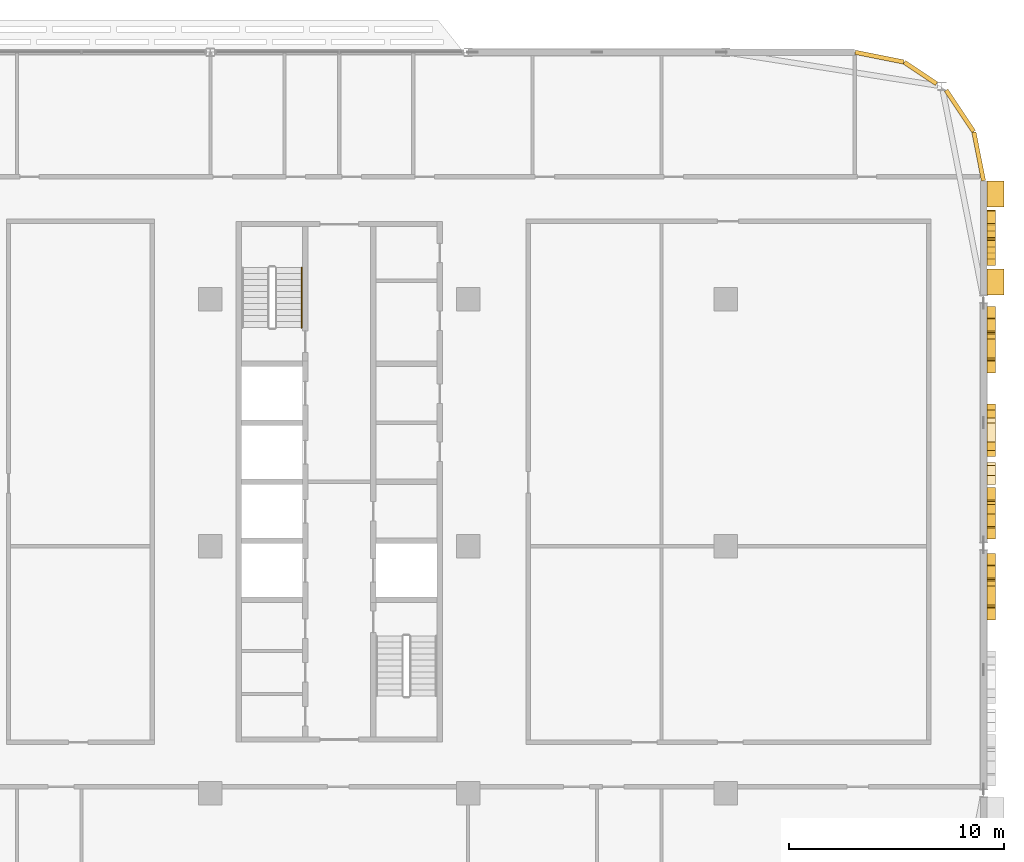
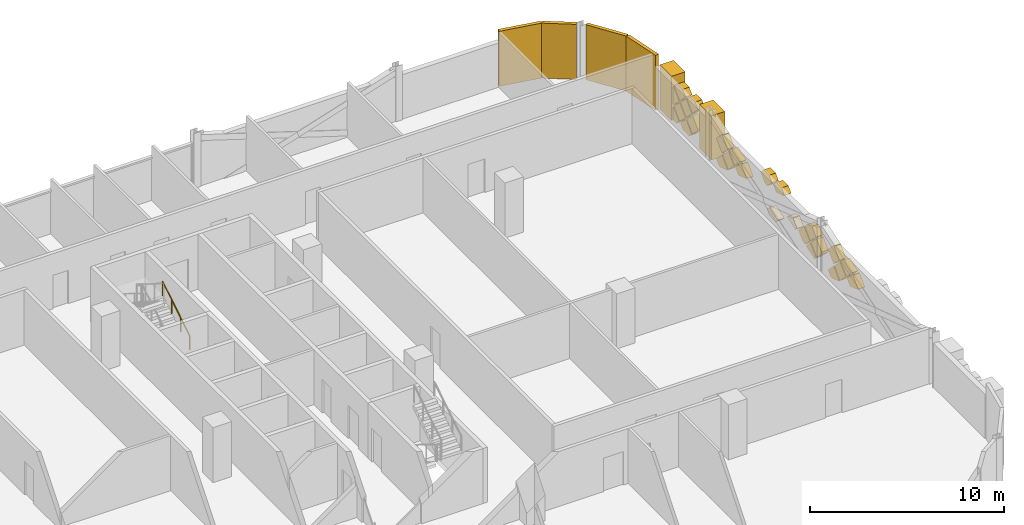
# One storey, part 30 of 30: 32 coverings, 1 railing.
"""IFC4 building model written with IfcOpenShell, lengths in metres."""

import ifcopenshell
import ifcopenshell.guid

model = None  # the IFC model being written
_history = None  # IfcOwnerHistory: only IFC2X3 demands one
_inside = {}  # id of a spatial element -> (the spatial element, [elements in it])
_under = {}  # id of a project, library or spatial element -> (it, [spatial elements below it])
_declared = {}  # id of a project -> (the project, [libraries it declares])
_typed = {}  # id of a type object -> (the type object, [elements of that type])
_made_of = {}  # id of a material, layer set ... -> (it, [elements and type objects made of it])


def new_model(schema):
    """Start an empty IFC model of exactly this schema.

    Asked for "IFC4X3", IfcOpenShell would pick the latest addendum, in which some entities
    have other attributes; the version numbers below select the first issue.
    IFC2X3 requires an IfcOwnerHistory on every rooted entity: one is made here for all.
    """
    global model, _history
    if schema == "IFC4X3":
        model = ifcopenshell.file(schema_version=(4, 3, 0, 0))
    else:
        model = ifcopenshell.file(schema=schema)
    _inside.clear()
    _under.clear()
    _declared.clear()
    _typed.clear()
    _made_of.clear()
    _history = None
    if model.schema == "IFC2X3":
        org = make("IfcOrganization", Name="unknown")
        user = make(
            "IfcPersonAndOrganization",
            ThePerson=make("IfcPerson", FamilyName="unknown"),
            TheOrganization=org,
        )
        app = make(
            "IfcApplication",
            ApplicationDeveloper=org,
            Version="unknown",
            ApplicationFullName="unknown",
            ApplicationIdentifier="unknown",
        )
        _history = make(
            "IfcOwnerHistory",
            OwningUser=user,
            OwningApplication=app,
            ChangeAction="ADDED",
            CreationDate=0,
        )
    return model


def make(cls, **values):
    """One entity of the class cls with the attributes given. An attribute that is None is left unset."""
    return model.create_entity(
        cls, **{name: value for name, value in values.items() if value is not None}
    )


def rooted(cls, **values):
    """An entity with a GlobalId (a new one), such as an element, a storey or a relation."""
    return make(cls, GlobalId=ifcopenshell.guid.new(), OwnerHistory=_history, **values)


def si_unit(unit_type, name, prefix=None):
    """IfcSIUnit, for example si_unit("LENGTHUNIT", "METRE", prefix="MILLI")."""
    return make("IfcSIUnit", UnitType=unit_type, Prefix=prefix, Name=name)


def assignment(units):
    """IfcUnitAssignment: the units of a project."""
    return None if units is None else make("IfcUnitAssignment", Units=units)


def point(xyz):
    """IfcCartesianPoint."""
    return None if xyz is None else make("IfcCartesianPoint", Coordinates=xyz)


def direction(xyz):
    """IfcDirection."""
    return None if xyz is None else make("IfcDirection", DirectionRatios=xyz)


def frame(location, z_axis=None, x_axis=None):
    """IfcAxis2Placement3D, a coordinate frame: its origin and axes. An axis left out is left unset."""
    return make(
        "IfcAxis2Placement3D",
        Location=point(location),
        Axis=direction(z_axis),
        RefDirection=direction(x_axis),
    )


def frame_2d(location, x_axis=None):
    """IfcAxis2Placement2D, a coordinate frame in the plane: its origin and x axis."""
    return make(
        "IfcAxis2Placement2D", Location=point(location), RefDirection=direction(x_axis)
    )


def origin():
    """The frame at (0, 0, 0) with its axes left unset."""
    return frame((0.0, 0.0, 0.0))


def origin_2d():
    """The frame at (0, 0) in the plane with its x axis left unset."""
    return frame_2d((0.0, 0.0))


def place(relative_to, where):
    """IfcLocalPlacement: puts the frame where relative to a parent placement (None: the world)."""
    return make(
        "IfcLocalPlacement", PlacementRelTo=relative_to, RelativePlacement=where
    )


def context(
    kind, dimensions, precision=None, world=None, true_north=None, identifier=None
):
    """IfcGeometricRepresentationContext, for example the 3D "Model" context."""
    return make(
        "IfcGeometricRepresentationContext",
        ContextIdentifier=identifier,
        ContextType=kind,
        CoordinateSpaceDimension=dimensions,
        Precision=precision,
        WorldCoordinateSystem=world,
        TrueNorth=true_north,
    )


def subcontext(parent, identifier, kind, view, scale=None):
    """IfcGeometricRepresentationSubContext, for example "Body" below "Model"."""
    return make(
        "IfcGeometricRepresentationSubContext",
        ContextIdentifier=identifier,
        ContextType=kind,
        ParentContext=parent,
        TargetScale=scale,
        TargetView=view,
    )


def project(units=None, contexts=None):
    """IfcProject with its units and contexts."""
    return rooted(
        "IfcProject",
        Name="project",
        RepresentationContexts=contexts,
        UnitsInContext=assignment(units),
    )


def spatial(cls, under=None, at=None, **own):
    """A site, building, storey or space (cls), placed at a placement, below another one or the project."""
    s = rooted(cls, ObjectPlacement=at, **own)
    if under is not None:
        _under.setdefault(under.id(), (under, []))[1].append(s)
    return s


def polyline(points):
    """IfcPolyline through the points."""
    return make("IfcPolyline", Points=[point(p) for p in points])


def profile(cls, at=None, kind="AREA", **sizes):
    """A parametric profile (cls). Its sizes go by their IFC names, for example OverallWidth=200.0."""
    return make(cls, ProfileType=kind, Position=at, **sizes)


def rectangle(**sizes):
    """IfcRectangleProfileDef."""
    return profile("IfcRectangleProfileDef", **sizes)


def circle(**sizes):
    """IfcCircleProfileDef."""
    return profile("IfcCircleProfileDef", **sizes)


def outline(outer, holes=None, kind="AREA"):
    """IfcArbitraryClosedProfileDef: a profile drawn as a closed curve; with holes, ...WithVoids."""
    if holes is None:
        return make("IfcArbitraryClosedProfileDef", ProfileType=kind, OuterCurve=outer)
    return make(
        "IfcArbitraryProfileDefWithVoids",
        ProfileType=kind,
        OuterCurve=outer,
        InnerCurves=holes,
    )


def extrude(swept, where, along, depth):
    """IfcExtrudedAreaSolid: the profile swept, set in the frame where, extruded along a direction by depth."""
    return make(
        "IfcExtrudedAreaSolid",
        SweptArea=swept,
        Position=where,
        ExtrudedDirection=direction(along),
        Depth=depth,
    )


def shape(context_of_items, identifier, shape_type, items):
    """IfcShapeRepresentation: the items that make up one representation, for example the "Body"."""
    return make(
        "IfcShapeRepresentation",
        ContextOfItems=context_of_items,
        RepresentationIdentifier=identifier,
        RepresentationType=shape_type,
        Items=items,
    )


def material(Name=None, Category=None):
    """IfcMaterial."""
    return make("IfcMaterial", Name=Name, Category=Category)


def layer(
    of_material, thickness, ventilated=None, Name=None, Category=None, Priority=None
):
    """IfcMaterialLayer: one layer of a wall or slab, of a material (None: an air gap)."""
    return make(
        "IfcMaterialLayer",
        Material=of_material,
        LayerThickness=thickness,
        IsVentilated=ventilated,
        Name=Name,
        Category=Category,
        Priority=Priority,
    )


def layer_set(layers, Name=None):
    """IfcMaterialLayerSet."""
    return make("IfcMaterialLayerSet", MaterialLayers=layers, LayerSetName=Name)


def made_of(thing, what):
    """Note that an element or type object is made of a material, layer set ...; save() writes the relation."""
    if what is not None:
        _made_of.setdefault(what.id(), (what, []))[1].append(thing)
    return thing


def type_object(cls, material=None, **own):
    """A type object (cls), such as IfcWallType, which elements share."""
    return made_of(rooted(cls, **own), material)


def element(
    cls,
    number,
    at=None,
    inside=None,
    cuts=None,
    type_object=None,
    material=None,
    context=None,
    identifier="Body",
    shape_type=None,
    held_by="IfcProductDefinitionShape",
    body=None,
    shapes=None,
    **own,
):
    """One element of the class cls, such as IfcWall. Its Tag is "e" and its number.

    at: its placement. inside: the storey or other place that contains it. cuts: it is an
    opening in that element (IfcRelVoidsElement). A single representation is given by context,
    identifier, shape_type and body (its items); several are given by shapes. held_by: the class
    of the entity that holds the representations. save() writes the other relations.
    """
    e = rooted(cls, Tag="e%d" % number, ObjectPlacement=at, **own)
    if body is not None:
        shapes = [shape(context, identifier, shape_type, body)]
    if shapes is not None:
        e.Representation = make(held_by, Representations=shapes)
    if inside is not None:
        _inside.setdefault(inside.id(), (inside, []))[1].append(e)
    if cuts is not None:
        rooted(
            "IfcRelVoidsElement", RelatingBuildingElement=cuts, RelatedOpeningElement=e
        )
    if type_object is not None:
        _typed.setdefault(type_object.id(), (type_object, []))[1].append(e)
    return made_of(e, material)


def aggregate(whole, parts):
    """IfcRelAggregates: a whole, such as a stair, and the parts it consists of."""
    return rooted("IfcRelAggregates", RelatingObject=whole, RelatedObjects=parts)


def save(model, path):
    """Write the relations noted so far, then the file.

    IfcRelAggregates (storeys below a building ...), IfcRelContainedInSpatialStructure (elements
    in a storey), IfcRelDefinesByType, IfcRelAssociatesMaterial and IfcRelDeclares: one each for
    every whole, place, type object, material and project.
    """
    for whole, parts in _under.values():
        aggregate(whole, parts)
    for where, things in _inside.values():
        rooted(
            "IfcRelContainedInSpatialStructure",
            RelatedElements=things,
            RelatingStructure=where,
        )
    for kind, things in _typed.values():
        rooted("IfcRelDefinesByType", RelatedObjects=things, RelatingType=kind)
    for what, things in _made_of.values():
        rooted("IfcRelAssociatesMaterial", RelatedObjects=things, RelatingMaterial=what)
    for by, libraries in _declared.values():
        rooted("IfcRelDeclares", RelatingContext=by, RelatedDefinitions=libraries)
    model.write(path)


model = new_model("IFC4")

# Units and contexts
model_context = context("Model", 3, precision=1e-05, world=origin(), true_north=direction((0.0, 1.0)))
body_context = subcontext(model_context, "Body", "Model", "MODEL_VIEW")
ifc_project = project(units=[si_unit("LENGTHUNIT", "METRE"), si_unit("AREAUNIT", "SQUARE_METRE"), si_unit("VOLUMEUNIT", "CUBIC_METRE"), si_unit("PLANEANGLEUNIT", "RADIAN"), si_unit("MASSUNIT", "GRAM", prefix="KILO")], contexts=[model_context])

# Site, building, storey
site_placement = place(None, origin())
site = spatial("IfcSite", under=ifc_project, at=site_placement, CompositionType="ELEMENT")
building_placement = place(site_placement, origin())
building = spatial("IfcBuilding", under=site, at=building_placement, Name="Mahtab Terrace Research Tower", CompositionType="ELEMENT")
storey_placement = place(building_placement, frame((0.0, 0.0, 216.699951171875)))
storey = spatial("IfcBuildingStorey", under=building, at=storey_placement, Name="L52", CompositionType="ELEMENT", Elevation=216.699951171875)

# Coverings
ifc_material_1 = material(Name="Black aluminium cladding panel", Category="aluminium")
ifc_layer_1 = layer(ifc_material_1, 0.199951171875)
ifc_layer_set_1 = layer_set([ifc_layer_1], Name="Black metal corner cladding 200")
covering_type_1 = type_object("IfcCoveringType", Name="Black metal corner cladding 200", PredefinedType="CLADDING", material=ifc_layer_set_1)
covering_1_placement = place(storey_placement, frame((52.89306640625, 20.26953125, 0.0), z_axis=(0.0, 0.0, 1.0), x_axis=(-0.555291490808, 0.831655794326, 0.0)))
element("IfcCovering", 1, at=covering_1_placement, inside=storey, type_object=covering_type_1, Name="Corner cladding L52 0", PredefinedType="CLADDING", context=body_context, shape_type="SweptSolid", body=[
    extrude(rectangle(XDim=2.30126953125, YDim=0.199951171875, at=origin_2d()), origin(), (0.0, 0.0, 1.0), 3.4599609375),
])
covering_2_placement = place(storey_placement, frame((51.059814453125, 22.032958984375, 0.0), z_axis=(0.0, 0.0, 1.0), x_axis=(-0.831655794326, 0.555291490808, 0.0)))
element("IfcCovering", 2, at=covering_2_placement, inside=storey, type_object=covering_type_1, Name="Corner cladding L52 1", PredefinedType="CLADDING", context=body_context, shape_type="SweptSolid", body=[
    extrude(rectangle(XDim=1.797119140625, YDim=0.199951171875, at=origin_2d()), origin(), (0.0, 0.0, 1.0), 3.4599609375),
])
for number, where, z_axis, x_axis, name in (
    (3, (49.14794921875, 22.771484375, 0.0), (0.0, 0.0, 1.0), (-0.980760981187, 0.195212442692, 0.0), "Corner cladding L52 2"),
    (4, (53.771484375, 18.14794921875, 0.0), (0.0, 0.0, 1.0), (-0.195212442692, 0.980760981187, 0.0), "Corner cladding L52 39"),
):
    element("IfcCovering", number, at=place(storey_placement, frame(where, z_axis=z_axis, x_axis=x_axis)), inside=storey, type_object=covering_type_1, Name=name, PredefinedType="CLADDING", context=body_context, shape_type="SweptSolid", body=[
        extrude(rectangle(XDim=2.30126953125, YDim=0.199951171875, at=origin_2d()), origin(), (0.0, 0.0, 1.0), 3.4599609375),
    ])
ifc_material_2 = material(Name="Bronze anodised aluminium", Category="aluminium")
ifc_layer_2 = layer(ifc_material_2, 0.39990234375)
ifc_layer_set_2 = layer_set([ifc_layer_2], Name="Mashrabiya relief panel 400")
covering_type_2 = type_object("IfcCoveringType", Name="Mashrabiya relief panel 400", PredefinedType="CLADDING", material=ifc_layer_set_2)
covering_3_placement = place(storey_placement, frame((54.14990234375, -3.429931640625, 1.050048828125), z_axis=(-1.0, 0.0, 0.0), x_axis=(0.0, 0.706952340484, 0.707261188165)))
element("IfcCovering", 5, at=covering_3_placement, inside=storey, type_object=covering_type_2, Name="Mashrabiya lattice cell L52 E36.9", PredefinedType="CLADDING", context=body_context, shape_type="SweptSolid", body=[
    extrude(outline(polyline([(0.0, 0.0), (0.7904887764319146, -5.551115123125783e-17), (0.8201783431599841, 0.015543498459401672), (0.8200025804785726, 0.8203608166430454), (0.3787513867253779, 0.8202644525474453), (-0.00018745003259939413, 0.06784492284073157), (0.0, 0.0)])), origin(), (0.0, 0.0, -1.0), 0.39990234375),
])
covering_4_placement = place(storey_placement, frame((54.14990234375, -1.6201171875, 1.699951171875), z_axis=(-1.0, 0.0, 0.0), x_axis=(0.0, -0.707106781187, -0.707106781187)))
element("IfcCovering", 6, at=covering_4_placement, inside=storey, type_object=covering_type_2, Name="Mashrabiya lattice cell L52 E36.10", PredefinedType="CLADDING", context=body_context, shape_type="SweptSolid", body=[
    extrude(outline(polyline([(0.0, 0.0), (0.8200090846279543, 0.0), (0.8200090846279544, 0.7550988918237205), (-0.00017263349150062335, 0.3423322136457334), (0.0, 0.0)])), origin(), (0.0, 0.0, -1.0), 0.39990234375),
])
covering_5_placement = place(storey_placement, frame((54.14990234375, -1.550048828125, 1.630126953125), z_axis=(-1.0, 0.0, 0.0), x_axis=(0.0, 0.707106781187, -0.707106781187)))
element("IfcCovering", 7, at=covering_5_placement, inside=storey, type_object=covering_type_2, Name="Mashrabiya lattice cell L52 E36.11", PredefinedType="CLADDING", context=body_context, shape_type="SweptSolid", body=[
    extrude(outline(polyline([(0.0, 0.0), (0.8203543516109556, 0.0), (0.8203543516109556, 0.8203543516109556), (0.0001726334915006511, 0.820181718119455), (0.0, 0.0)])), origin(), (0.0, 0.0, -1.0), 0.39990234375),
])
covering_6_placement = place(storey_placement, frame((54.14990234375, -1.47998046875, 0.400146484375), z_axis=(-1.0, 0.0, 0.0), x_axis=(0.0, 0.707255598772, 0.706957932274)))
element("IfcCovering", 8, at=covering_6_placement, inside=storey, type_object=covering_type_2, Name="Mashrabiya lattice cell L52 E36.12", PredefinedType="CLADDING", context=body_context, shape_type="SweptSolid", body=[
    extrude(outline(polyline([(0.0, 0.0), (0.8201817362875763, 0.0), (0.8203499004174368, 0.798947780967117), (0.7991204507910361, 0.82018616930915), (0.44556706802944235, 0.8202605859335999), (0.3224534835752191, 0.6971988169610492), (1.191828750955748e-05, 0.0566237839579115), (0.0, 0.0)])), origin(), (0.0, 0.0, -1.0), 0.39990234375),
])
covering_7_placement = place(storey_placement, frame((54.14990234375, -0.89990234375, 1.1201171875), z_axis=(-1.0, 0.0, 0.0), x_axis=(0.0, -0.707255598772, 0.706957932274)))
element("IfcCovering", 9, at=covering_7_placement, inside=storey, type_object=covering_type_2, Name="Mashrabiya lattice cell L52 E36.13", PredefinedType="CLADDING", context=body_context, shape_type="SweptSolid", body=[
    extrude(outline(polyline([(0.0, 0.0), (0.8201817362875763, 0.0), (0.8200180051792895, 0.7778864954705769), (0.798947780967117, 0.8203499004174368), (0.02106128549654024, 0.82018616930915), (-0.0001681641298604819, 0.798947780967117), (0.0, 0.0)])), origin(), (0.0, 0.0, -1.0), 0.39990234375),
])
covering_8_placement = place(storey_placement, frame((54.14990234375, 0.85009765625, 1.630126953125), z_axis=(-1.0, 0.0, 0.0), x_axis=(0.0, 0.706957932274, -0.707255598772)))
element("IfcCovering", 10, at=covering_8_placement, inside=storey, type_object=covering_type_2, Name="Mashrabiya lattice cell L52 E37.1", PredefinedType="CLADDING", context=body_context, shape_type="SweptSolid", body=[
    extrude(outline(polyline([(0.0, 0.0), (0.8201817362875763, 0.0), (0.8205270032629295, 0.8201816636150915), (0.09201368526784859, 0.8203350025580498), (0.0001533389429583809, 0.7285133179950809), (0.0, 0.0)])), origin(), (0.0, 0.0, -1.0), 0.39990234375),
])
covering_9_placement = place(storey_placement, frame((54.14990234375, 0.919921875, 0.400146484375), z_axis=(-1.0, 0.0, 0.0), x_axis=(0.0, 0.707255598772, 0.706957932274)))
element("IfcCovering", 11, at=covering_9_placement, inside=storey, type_object=covering_type_2, Name="Mashrabiya lattice cell L52 E37.2", PredefinedType="CLADDING", context=body_context, shape_type="SweptSolid", body=[
    extrude(outline(polyline([(0.0, 0.0), (0.8201817362875763, 0.0), (0.8203159623670284, 0.6377081034772106), (4.738246009898528e-05, 0.22511406793023353), (0.0, 0.0)])), origin(), (0.0, 0.0, -1.0), 0.39990234375),
])
covering_10_placement = place(storey_placement, frame((54.14990234375, 2.080078125, 1.699951171875), z_axis=(-1.0, 0.0, 0.0), x_axis=(0.0, -0.707255598772, -0.706957932274)))
element("IfcCovering", 12, at=covering_10_placement, inside=storey, type_object=covering_type_2, Name="Mashrabiya lattice cell L52 E37.3", PredefinedType="CLADDING", context=body_context, shape_type="SweptSolid", body=[
    extrude(outline(polyline([(0.0, 0.0), (0.8201817362875763, 0.0), (0.8205270032629295, 0.8201816636150915), (0.23219207726121488, 0.8203054975292152), (7.565205669177177e-05, 0.3594229213425968), (0.0, 0.0)])), origin(), (0.0, 0.0, -1.0), 0.39990234375),
])
covering_11_placement = place(storey_placement, frame((54.14990234375, 1.570068359375, 1.050048828125), z_axis=(-1.0, 0.0, 0.0), x_axis=(0.0, 0.706957932274, 0.707255598772)))
element("IfcCovering", 13, at=covering_11_placement, inside=storey, type_object=covering_type_2, Name="Mashrabiya lattice cell L52 E37.4", PredefinedType="CLADDING", context=body_context, shape_type="SweptSolid", body=[
    extrude(outline(polyline([(0.0, 0.0), (0.8201817362875763, 0.0), (0.8200090664636573, 0.8203543334390104), (0.26274816824372343, 0.8202370400485202), (-0.0003172880686995727, 0.6872538781041407), (0.0, 0.0)])), origin(), (0.0, 0.0, -1.0), 0.39990234375),
])
covering_12_placement = place(storey_placement, frame((54.14990234375, 2.8701171875, 1.050048828125), z_axis=(-1.0, 0.0, 0.0), x_axis=(0.0, 0.707106781187, 0.707106781187)))
element("IfcCovering", 14, at=covering_12_placement, inside=storey, type_object=covering_type_2, Name="Mashrabiya lattice cell L52 E37.5", PredefinedType="CLADDING", context=body_context, shape_type="SweptSolid", body=[
    extrude(outline(polyline([(0.0, 0.0), (0.5938592107621395, 0.0), (0.820181718119455, 0.4483291774271153), (0.820181718119455, 0.643405022822818), (-0.00017263349150060947, 0.2304657111533303), (0.0, 0.0)])), origin(), (0.0, 0.0, -1.0), 0.39990234375),
])
covering_13_placement = place(storey_placement, frame((54.14990234375, 4.169921875, 2.35009765625), z_axis=(-1.0, 0.0, 0.0), x_axis=(0.0, 0.707397353075, 0.706816089844)))
element("IfcCovering", 15, at=covering_13_placement, inside=storey, type_object=covering_type_2, Name="Mashrabiya lattice cell L52 E37.6", PredefinedType="CLADDING", context=body_context, shape_type="SweptSolid", body=[
    extrude(outline(polyline([(0.0, 0.0), (0.4200173202985069, 0.0), (0.8203461934500823, 0.3999999258441378), (0.82069146040392, 0.820017104232676), (0.36666541610738723, 0.8202037158415114), (0.00021045248357635243, 0.09201357224275405), (0.0, 0.0)])), origin(), (0.0, 0.0, -1.0), 0.39990234375),
])
covering_14_placement = place(storey_placement, frame((54.14990234375, 4.85693359375, 0.363037109375), z_axis=(-1.0, 0.0, 0.0), x_axis=(0.0, 0.94953050897, 0.313674692213)))
element("IfcCovering", 16, at=covering_14_placement, inside=storey, type_object=covering_type_2, Name="Mashrabiya lattice cell L52 E37.7", PredefinedType="CLADDING", context=body_context, shape_type="SweptSolid", body=[
    extrude(outline(polyline([(0.0, 0.0), (0.918422635462074, 0.0), (1.0780075425974158, 0.31703489912506033), (0.7433172794197063, 0.48570020471355846), (0.14499251290312182, 0.28804532663697113), (0.0, 0.0)])), origin(), (0.0, 0.0, -1.0), 0.39990234375),
])
covering_15_placement = place(storey_placement, frame((54.14990234375, 5.469970703125, 2.35009765625), z_axis=(-1.0, 0.0, 0.0), x_axis=(0.0, 0.707397353075, 0.706816089844)))
element("IfcCovering", 17, at=covering_15_placement, inside=storey, type_object=covering_type_2, Name="Mashrabiya lattice cell L52 E37.8", PredefinedType="CLADDING", context=body_context, shape_type="SweptSolid", body=[
    extrude(outline(polyline([(0.0, 0.0), (0.4200173202985069, 0.0), (0.8203461934500823, 0.3999999258441378), (0.8205187559720168, 0.8198445417107415), (0.23926191014128795, 0.8202560806199604), (0.00028779341651574697, 0.7002013823827897), (0.0, 0.0)])), origin(), (0.0, 0.0, -1.0), 0.39990234375),
])
covering_16_placement = place(storey_placement, frame((54.14990234375, 8.070068359375, 1.050048828125), z_axis=(-1.0, 0.0, 0.0), x_axis=(0.0, 0.706952340484, 0.707261188165)))
element("IfcCovering", 18, at=covering_16_placement, inside=storey, type_object=covering_type_2, Name="Mashrabiya lattice cell L52 E37.9", PredefinedType="CLADDING", context=body_context, shape_type="SweptSolid", body=[
    extrude(outline(polyline([(0.0, 0.0), (0.7904887764319146, -5.551115123125783e-17), (0.8201783431599841, 0.015543498459401672), (0.8200025804785726, 0.8203608166430454), (0.3787513867253779, 0.8202644525474453), (-0.00018745003259939413, 0.06784492284073157), (0.0, 0.0)])), origin(), (0.0, 0.0, -1.0), 0.39990234375),
])
covering_17_placement = place(storey_placement, frame((54.14990234375, 9.8798828125, 1.699951171875), z_axis=(-1.0, 0.0, 0.0), x_axis=(0.0, -0.707106781187, -0.707106781187)))
element("IfcCovering", 19, at=covering_17_placement, inside=storey, type_object=covering_type_2, Name="Mashrabiya lattice cell L52 E37.10", PredefinedType="CLADDING", context=body_context, shape_type="SweptSolid", body=[
    extrude(outline(polyline([(0.0, 0.0), (0.8200090846279543, 0.0), (0.8200090846279544, 0.7550988918237205), (-0.00017263349150062335, 0.3423322136457334), (0.0, 0.0)])), origin(), (0.0, 0.0, -1.0), 0.39990234375),
])
covering_18_placement = place(storey_placement, frame((54.14990234375, 9.949951171875, 1.630126953125), z_axis=(-1.0, 0.0, 0.0), x_axis=(0.0, 0.707106781187, -0.707106781187)))
element("IfcCovering", 20, at=covering_18_placement, inside=storey, type_object=covering_type_2, Name="Mashrabiya lattice cell L52 E37.11", PredefinedType="CLADDING", context=body_context, shape_type="SweptSolid", body=[
    extrude(outline(polyline([(0.0, 0.0), (0.8203543516109556, 0.0), (0.8203543516109556, 0.8203543516109556), (0.0001726334915006511, 0.820181718119455), (0.0, 0.0)])), origin(), (0.0, 0.0, -1.0), 0.39990234375),
])
covering_19_placement = place(storey_placement, frame((54.14990234375, 10.02001953125, 0.400146484375), z_axis=(-1.0, 0.0, 0.0), x_axis=(0.0, 0.707255598772, 0.706957932274)))
element("IfcCovering", 21, at=covering_19_placement, inside=storey, type_object=covering_type_2, Name="Mashrabiya lattice cell L52 E37.12", PredefinedType="CLADDING", context=body_context, shape_type="SweptSolid", body=[
    extrude(outline(polyline([(0.0, 0.0), (0.8201817362875763, 0.0), (0.8203499004174368, 0.798947780967117), (0.7991204507910361, 0.82018616930915), (0.44556706802944235, 0.8202605859335999), (0.3224534835752191, 0.6971988169610492), (1.191828750955748e-05, 0.0566237839579115), (0.0, 0.0)])), origin(), (0.0, 0.0, -1.0), 0.39990234375),
])
covering_20_placement = place(storey_placement, frame((54.14990234375, 10.60009765625, 1.1201171875), z_axis=(-1.0, 0.0, 0.0), x_axis=(0.0, -0.707255598772, 0.706957932274)))
element("IfcCovering", 22, at=covering_20_placement, inside=storey, type_object=covering_type_2, Name="Mashrabiya lattice cell L52 E37.13", PredefinedType="CLADDING", context=body_context, shape_type="SweptSolid", body=[
    extrude(outline(polyline([(0.0, 0.0), (0.8201817362875763, 0.0), (0.8200180051792895, 0.7778864954705769), (0.798947780967117, 0.8203499004174368), (0.02106128549654024, 0.82018616930915), (-0.0001681641298604819, 0.798947780967117), (0.0, 0.0)])), origin(), (0.0, 0.0, -1.0), 0.39990234375),
])
covering_21_placement = place(storey_placement, frame((54.14990234375, 13.64990234375, 1.630126953125), z_axis=(-1.0, 0.0, 0.0), x_axis=(0.0, 0.707106781187, -0.707106781187)))
element("IfcCovering", 23, at=covering_21_placement, inside=storey, type_object=covering_type_2, Name="Mashrabiya lattice cell L52 E38.1", PredefinedType="CLADDING", context=body_context, shape_type="SweptSolid", body=[
    extrude(outline(polyline([(0.0, 0.0), (0.8203543516109556, 0.0), (0.8203543516109556, 0.8203543516109556), (0.0001726334915006511, 0.820181718119455), (0.0, 0.0)])), origin(), (0.0, 0.0, -1.0), 0.39990234375),
])
covering_22_placement = place(storey_placement, frame((54.14990234375, 14.22998046875, 2.35009765625), z_axis=(-1.0, 0.0, 0.0), x_axis=(0.0, -0.707106781187, -0.707106781187)))
element("IfcCovering", 24, at=covering_22_placement, inside=storey, type_object=covering_type_2, Name="Mashrabiya lattice cell L52 E38.2", PredefinedType="CLADDING", context=body_context, shape_type="SweptSolid", body=[
    extrude(outline(polyline([(0.0, 0.0), (0.8203543516109556, 0.0), (0.820181718119455, 0.820181718119455), (0.4003370667899423, 0.820181718119455), (0.0, 0.4198446513295126), (0.0, 0.0)])), origin(), (0.0, 0.0, -1.0), 0.39990234375),
])
covering_23_placement = place(storey_placement, frame((54.14990234375, 13.719970703125, 0.400146484375), z_axis=(-1.0, 0.0, 0.0), x_axis=(0.0, 0.707255598772, 0.706957932274)))
element("IfcCovering", 25, at=covering_23_placement, inside=storey, type_object=covering_type_2, Name="Mashrabiya lattice cell L52 E38.3", PredefinedType="CLADDING", context=body_context, shape_type="SweptSolid", body=[
    extrude(outline(polyline([(0.0, 0.0), (0.8201817362875763, 0.0), (0.8203543334390104, 0.8200090664636573), (0.44556706802944235, 0.8202605859335999), (7.892231850842313e-05, 0.3749599352334871), (0.0, 0.0)])), origin(), (0.0, 0.0, -1.0), 0.39990234375),
])
covering_24_placement = place(storey_placement, frame((54.14990234375, 14.300048828125, 2.280029296875), z_axis=(-1.0, 0.0, 0.0), x_axis=(0.0, 0.706957932274, -0.707255598772)))
element("IfcCovering", 26, at=covering_24_placement, inside=storey, type_object=covering_type_2, Name="Mashrabiya lattice cell L52 E38.4", PredefinedType="CLADDING", context=body_context, shape_type="SweptSolid", body=[
    extrude(outline(polyline([(0.0, 0.0), (0.8201817362875763, 0.0), (0.8203543334390104, 0.8200090664636573), (0.00017266982391900276, 0.8203543334390104), (0.0, 0.0)])), origin(), (0.0, 0.0, -1.0), 0.39990234375),
])
covering_25_placement = place(storey_placement, frame((54.14990234375, 14.949951171875, 1.630126953125), z_axis=(-1.0, 0.0, 0.0), x_axis=(0.0, 0.707106781187, -0.707106781187)))
element("IfcCovering", 27, at=covering_25_placement, inside=storey, type_object=covering_type_2, Name="Mashrabiya lattice cell L52 E38.5", PredefinedType="CLADDING", context=body_context, shape_type="SweptSolid", body=[
    extrude(outline(polyline([(0.0, 0.0), (0.8203543516109556, 0.0), (0.8203543516109556, 0.8203543516109556), (0.0001726334915006511, 0.820181718119455), (0.0, 0.0)])), origin(), (0.0, 0.0, -1.0), 0.39990234375),
])
covering_26_placement = place(storey_placement, frame((54.14990234375, 15.530029296875, 2.35009765625), z_axis=(-1.0, 0.0, 0.0), x_axis=(0.0, -0.707106781187, -0.707106781187)))
element("IfcCovering", 28, at=covering_26_placement, inside=storey, type_object=covering_type_2, Name="Mashrabiya lattice cell L52 E38.6", PredefinedType="CLADDING", context=body_context, shape_type="SweptSolid", body=[
    extrude(outline(polyline([(0.0, 0.0), (0.8203543516109556, 0.0), (0.820181718119455, 0.820181718119455), (0.4003370667899423, 0.820181718119455), (0.00017263349150062335, 0.4200172848210132), (0.0, 0.0)])), origin(), (0.0, 0.0, -1.0), 0.39990234375),
])
covering_27_placement = place(storey_placement, frame((54.14990234375, 15.02001953125, 0.400146484375), z_axis=(-1.0, 0.0, 0.0), x_axis=(0.0, 0.707255598772, 0.706957932274)))
element("IfcCovering", 29, at=covering_27_placement, inside=storey, type_object=covering_type_2, Name="Mashrabiya lattice cell L52 E38.7", PredefinedType="CLADDING", context=body_context, shape_type="SweptSolid", body=[
    extrude(outline(polyline([(0.0, 0.0), (0.8201817362875763, 0.0), (0.8202010671685369, 0.09184101544392964), (0.2687531683364205, 0.6435211028650281), (-9.374750541052412e-05, 0.37478733808205295), (0.0, 0.0)])), origin(), (0.0, 0.0, -1.0), 0.39990234375),
])
covering_28_placement = place(storey_placement, frame((54.14990234375, 15.60009765625, 1.1201171875), z_axis=(-1.0, 0.0, 0.0), x_axis=(0.0, -0.707255598772, 0.706957932274)))
element("IfcCovering", 30, at=covering_28_placement, inside=storey, type_object=covering_type_2, Name="Mashrabiya lattice cell L52 E38.8", PredefinedType="CLADDING", context=body_context, shape_type="SweptSolid", body=[
    extrude(outline(polyline([(0.0, 0.0), (0.8201817362875763, 0.0), (0.8200090664636573, 0.8203543334390104), (0.7281680510197277, 0.8203350025580498), (-1.9330880960628793e-05, 0.09184101544392961), (0.0, 0.0)])), origin(), (0.0, 0.0, -1.0), 0.39990234375),
])
ifc_material_3 = material(Name="Glazed ceramic tile cladding", Category="masonry")
ifc_layer_3 = layer(ifc_material_3, 0.800048828125)
ifc_layer_set_3 = layer_set([ifc_layer_3], Name="Pishtaq frame pier 800")
covering_type_3 = type_object("IfcCoveringType", Name="Pishtaq frame pier 800", PredefinedType="CLADDING", material=ifc_layer_set_3)
for number, where, z_axis, x_axis, name in (
    (31, (54.550048828125, 12.300048828125, 0.0), (0.0, 0.0, 1.0), (0.0, 1.0, 0.0), "Pishtaq frame pier 38a"),
    (32, (54.550048828125, 16.39990234375, 0.0), (0.0, 0.0, 1.0), (0.0, 1.0, 0.0), "Pishtaq frame pier 38b"),
):
    element("IfcCovering", number, at=place(storey_placement, frame(where, z_axis=z_axis, x_axis=x_axis)), inside=storey, type_object=covering_type_3, Name=name, PredefinedType="CLADDING", context=body_context, shape_type="SweptSolid", body=[
        extrude(rectangle(XDim=1.199951171875, YDim=0.800048828125, at=origin_2d()), origin(), (0.0, 0.0, 1.0), 2.781982421875),
    ])

# Railing
ifc_material_4 = material(Name="Stainless steel AISI 304", Category="steel")
railing_type = type_object("IfcRailingType", Name="Stair handrail 900", PredefinedType="HANDRAIL", material=ifc_material_4)
railing_placement = place(storey_placement, frame((22.25, 10.175048828125, 0.1728515625)))
element("IfcRailing", 33, at=railing_placement, inside=storey, type_object=railing_type, Name="L52 ST3 stair handrail 1", PredefinedType="HANDRAIL", context=body_context, shape_type="SweptSolid", body=[
    extrude(circle(Radius=0.02392578125, at=origin_2d()), frame((0.0, 0.0, 0.8759765625), z_axis=(0.0, 0.851089632645, 0.525020415988), x_axis=(-1.0, 0.0, 0.0)), (0.0, 0.0, 1.0), 3.2900390625),
    extrude(circle(Radius=0.02099609375, at=origin_2d()), origin(), (0.0, 0.0, 1.0), 0.851806640625),
    extrude(circle(Radius=0.02099609375, at=origin_2d()), frame((0.0, 0.933349609375, 0.57568359375)), (0.0, 0.0, 1.0), 0.851806640625),
    extrude(circle(Radius=0.02099609375, at=origin_2d()), frame((0.0, 1.86669921875, 1.151611328125)), (0.0, 0.0, 1.0), 0.851806640625),
    extrude(circle(Radius=0.02099609375, at=origin_2d()), frame((0.0, 2.800048828125, 1.727294921875)), (0.0, 0.0, 1.0), 0.851806640625),
])

save(model, "model.ifc")
